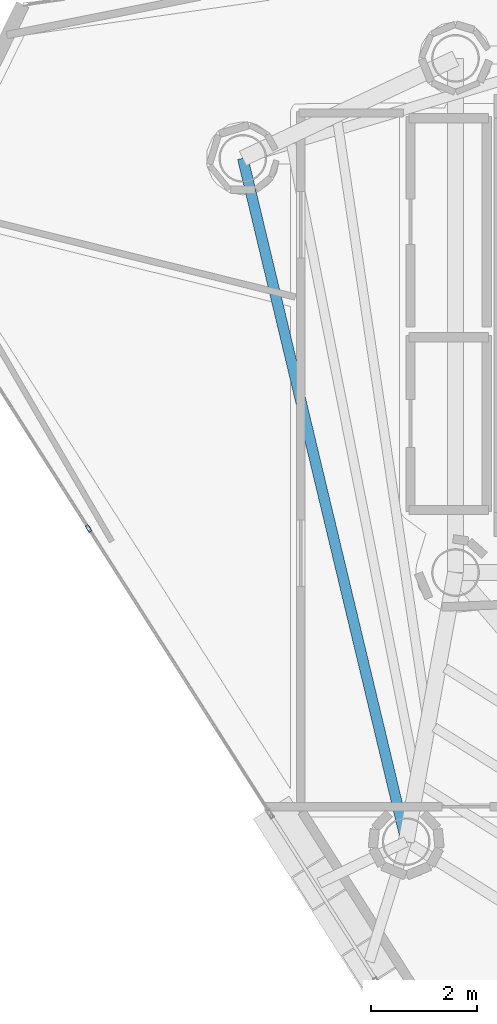
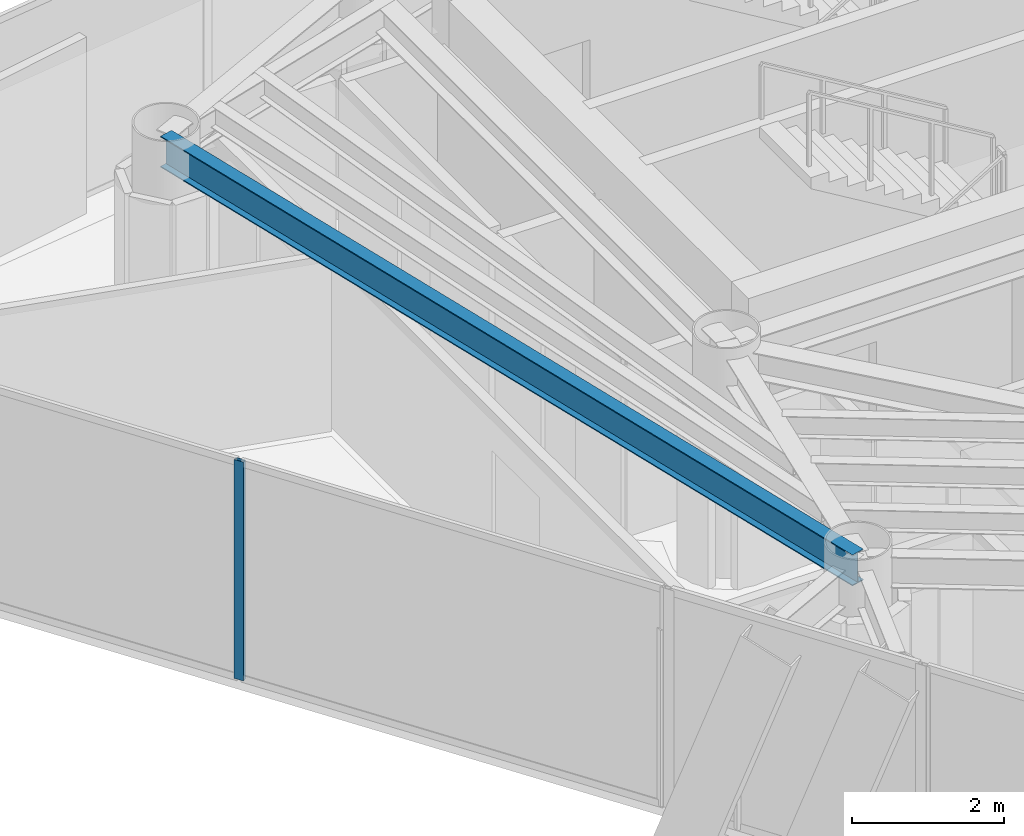
# One storey, part 8 of 25: 1 beam, 1 member, 1 element without a shape of its own.
"""IFC4 building model written with IfcOpenShell, lengths in metres."""

from ifc_helpers import new_model, si_unit, direction, frame, origin, origin_2d, place, context, subcontext, project, spatial, hollow_rectangle, i_section, extrude, material, layer, layer_set, material_profile, profile_set, type_object, element, aggregate, save


model = new_model("IFC4")

# Units and contexts
model_context = context("Model", 3, precision=1e-05, world=origin(), true_north=direction((0.0, 1.0)))
body_context = subcontext(model_context, "Body", "Model", "MODEL_VIEW")
ifc_project = project(units=[si_unit("LENGTHUNIT", "METRE"), si_unit("AREAUNIT", "SQUARE_METRE"), si_unit("VOLUMEUNIT", "CUBIC_METRE"), si_unit("PLANEANGLEUNIT", "RADIAN"), si_unit("MASSUNIT", "GRAM", prefix="KILO")], contexts=[model_context])

# Site, building, storey
site_placement = place(None, origin())
site = spatial("IfcSite", under=ifc_project, at=site_placement, CompositionType="ELEMENT")
building_placement = place(site_placement, origin())
building = spatial("IfcBuilding", under=site, at=building_placement, Name="Qianvela Tower", CompositionType="ELEMENT")
storey_placement = place(building_placement, frame((0.0, 0.0, 291.699951171875)))
storey = spatial("IfcBuildingStorey", under=building, at=storey_placement, Name="L75", CompositionType="ELEMENT", Elevation=291.699951171875)

# Beam
ifc_material_1 = material(Name="Steel Q355B", Category="steel")
ifc_material_profile_1 = material_profile(ifc_material_1, i_section(OverallWidth=0.199951171875, OverallDepth=0.5, WebThickness=0.010009765625, FlangeThickness=0.01611328125, at=origin_2d()), Name="HN500x200x10x16")
ifc_profile_set_1 = profile_set([ifc_material_profile_1], Name="Steel Q355B")
beam_type = type_object("IfcBeamType", Name="BM-HN500-GIRD", PredefinedType="BEAM", material=ifc_profile_set_1)
beam_placement = place(storey_placement, frame((24.5869140625, 31.6630859375, 3.26806640625), z_axis=(0.232631550142, -0.972564939672, 0.0), x_axis=(0.972564939672, 0.232631550142, 0.0)))
element("IfcBeam", 1, at=beam_placement, inside=storey, type_object=beam_type, Name="L75 Perimeter Ring Spandrel Girder 3", PredefinedType="BEAM", context=body_context, shape_type="SweptSolid", body=[
    extrude(i_section(OverallWidth=0.199951171875, OverallDepth=0.5, WebThickness=0.010009765625, FlangeThickness=0.01611328125, at=origin_2d()), origin(), (0.0, 0.0, 1.0), 13.252685546875),
])

# Curtain wall, member
ifc_material_2 = material(Name="Anodised Architectural Aluminium and Low-E Glass", Category="aluminium")
ifc_layer = layer(ifc_material_2, 0.14990234375)
ifc_layer_set = layer_set([ifc_layer], Name="Anodised Architectural Aluminium and Low-E Glass")
curtain_wall_type = type_object("IfcCurtainWallType", Name="CW-COLIV-Z78", PredefinedType="USERDEFINED", material=ifc_layer_set)
curtain_wall_placement = place(storey_placement, origin())
curtain_wall = element("IfcCurtainWall", 2, at=curtain_wall_placement, inside=storey, type_object=curtain_wall_type, Name="L75 CW-COLIV-Z78 Curtain Wall 04A", ObjectType="CURTAIN_WALL_SYSTEM", PredefinedType="USERDEFINED")
ifc_material_3 = material(Name="Anodised Architectural Aluminium 6063-T6", Category="aluminium")
ifc_material_profile_2 = material_profile(ifc_material_3, hollow_rectangle(XDim=0.06005859375, YDim=0.139892578125, WallThickness=0.00439453125, at=origin_2d()), Name="ALU-MULL-60x140")
ifc_profile_set_2 = profile_set([ifc_material_profile_2], Name="Anodised Architectural Aluminium 6063-T6")
member_type = type_object("IfcMemberType", Name="CW-COLIV-Z78-MULL", PredefinedType="MULLION", material=ifc_profile_set_2)
member_placement = place(storey_placement, frame((21.677734375, 24.68017578125, 0.0), z_axis=(0.0, 0.0, 1.0), x_axis=(0.8435804858, 0.537002759749, 0.0)))
member = element("IfcMember", 3, at=member_placement, type_object=member_type, Name="CW-6 mullion 2", PredefinedType="MULLION", context=body_context, shape_type="SweptSolid", body=[
    extrude(hollow_rectangle(XDim=0.06005859375, YDim=0.139892578125, WallThickness=0.00439453125, at=origin_2d()), origin(), (0.0, 0.0, 1.0), 3.52001953125),
])
aggregate(curtain_wall, [member])

save(model, "model.ifc")
